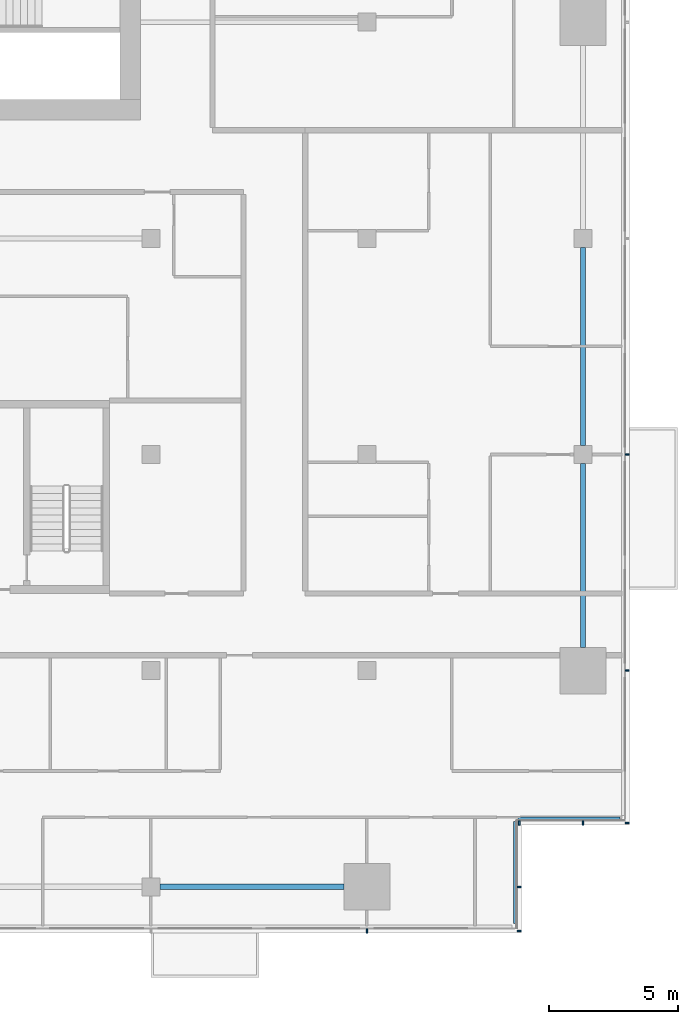
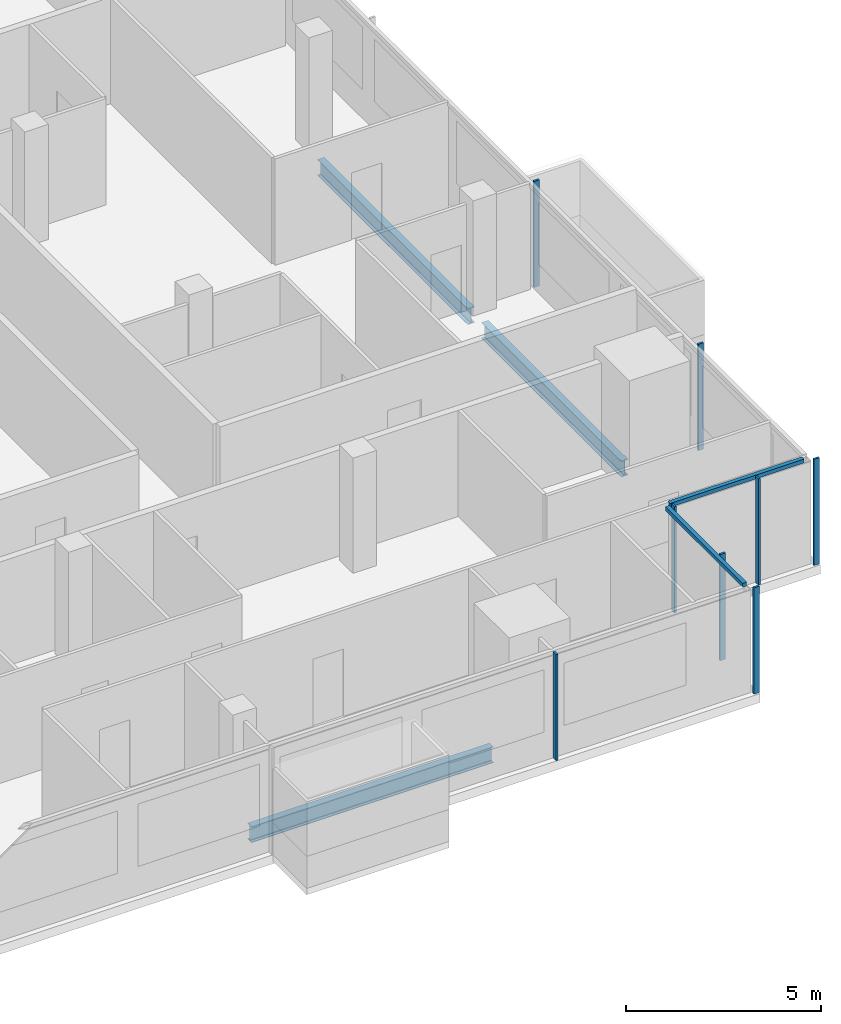
# One storey, part 11 of 30: 10 members, 3 beams, 4 elements without a shape of their own.
"""IFC4 building model written with IfcOpenShell, lengths in metres."""

from ifc_helpers import new_model, si_unit, direction, frame, origin, origin_2d, place, context, subcontext, project, spatial, rectangle, i_section, extrude, material, material_profile, profile_set, type_object, element, aggregate, save


model = new_model("IFC4")

# Units and contexts
model_context = context("Model", 3, precision=1e-05, world=origin(), true_north=direction((0.0, 1.0)))
body_context = subcontext(model_context, "Body", "Model", "MODEL_VIEW")
ifc_project = project(units=[si_unit("LENGTHUNIT", "METRE"), si_unit("AREAUNIT", "SQUARE_METRE"), si_unit("VOLUMEUNIT", "CUBIC_METRE"), si_unit("PLANEANGLEUNIT", "RADIAN"), si_unit("MASSUNIT", "GRAM", prefix="KILO")], contexts=[model_context])

# Site, building, storey
site_placement = place(None, origin())
site = spatial("IfcSite", under=ifc_project, at=site_placement, CompositionType="ELEMENT")
building_placement = place(site_placement, origin())
building = spatial("IfcBuilding", under=site, at=building_placement, Name="Saffron Gate Tower", CompositionType="ELEMENT")
storey_placement = place(building_placement, frame((0.0, 0.0, 169.050048828125)))
storey = spatial("IfcBuildingStorey", under=building, at=storey_placement, Name="L41", CompositionType="ELEMENT", Elevation=169.050048828125)

# Beams
ifc_material_1 = material(Name="Structural steel S355", Category="steel")
ifc_material_profile_1 = material_profile(ifc_material_1, i_section(OverallWidth=0.199951171875, OverallDepth=0.5, WebThickness=0.01025390625, FlangeThickness=0.01611328125, FilletRadius=0.02099609375, at=origin_2d()))
ifc_profile_set_1 = profile_set([ifc_material_profile_1], Name="Structural steel S355")
beam_type = type_object("IfcBeamType", Name="B11 IPE 500", PredefinedType="SPANDREL", material=ifc_profile_set_1)
beam_1_placement = place(storey_placement, frame((108.949951171875, 31.800048828125, -0.530029296875), z_axis=(1.0, 0.0, 0.0), x_axis=(0.0, 1.0, 0.0)))
element("IfcBeam", 1, at=beam_1_placement, inside=storey, type_object=beam_type, Name="B11 SPANDREL BEAM", PredefinedType="SPANDREL", context=body_context, shape_type="SweptSolid", body=[
    extrude(i_section(OverallWidth=0.199951171875, OverallDepth=0.5, WebThickness=0.01025390625, FlangeThickness=0.01611328125, FilletRadius=0.02099609375, at=origin_2d()), origin(), (0.0, 0.0, 1.0), 7.150146484375),
])
beam_2_placement = place(storey_placement, frame((125.39990234375, 41.10009765625, -0.530029296875), z_axis=(0.0, 1.0, 0.0), x_axis=(-1.0, 0.0, 0.0)))
element("IfcBeam", 2, at=beam_2_placement, inside=storey, type_object=beam_type, Name="B11 SPANDREL BEAM", PredefinedType="SPANDREL", context=body_context, shape_type="SweptSolid", body=[
    extrude(i_section(OverallWidth=0.199951171875, OverallDepth=0.5, WebThickness=0.01025390625, FlangeThickness=0.01611328125, FilletRadius=0.02099609375, at=origin_2d()), origin(), (0.0, 0.0, 1.0), 7.14990234375),
])
beam_3_placement = place(storey_placement, frame((125.39990234375, 48.949951171875, -0.530029296875), z_axis=(0.0, 1.0, 0.0), x_axis=(-1.0, 0.0, 0.0)))
element("IfcBeam", 3, at=beam_3_placement, inside=storey, type_object=beam_type, Name="B11 SPANDREL BEAM", PredefinedType="SPANDREL", context=body_context, shape_type="SweptSolid", body=[
    extrude(i_section(OverallWidth=0.199951171875, OverallDepth=0.5, WebThickness=0.01025390625, FlangeThickness=0.01611328125, FilletRadius=0.02099609375, at=origin_2d()), origin(), (0.0, 0.0, 1.0), 7.699951171875),
])

# Curtain wall, member
ifc_material_2 = material(Name="Aluminium, bronze anodised", Category="aluminium")
curtain_wall_type_1 = type_object("IfcCurtainWallType", Name="CWS1 curtain wall front facade", PredefinedType="NOTDEFINED", material=ifc_material_2)
curtain_wall_1_placement = place(storey_placement, origin())
curtain_wall_1 = element("IfcCurtainWall", 4, at=curtain_wall_1_placement, inside=storey, type_object=curtain_wall_type_1, Name="CWS1 run 1", PredefinedType="NOTDEFINED")
ifc_material_profile_2 = material_profile(ifc_material_2, rectangle(XDim=0.159912109375, YDim=0.06005859375, at=origin_2d()))
ifc_profile_set_2 = profile_set([ifc_material_profile_2], Name="Aluminium, bronze anodised")
member_type_1 = type_object("IfcMemberType", Name="CWS1 mullion 60x160", PredefinedType="MULLION", material=ifc_profile_set_2)
member_1_placement = place(storey_placement, frame((117.0, 30.080078125, 0.0), z_axis=(0.0, 0.0, 1.0), x_axis=(0.0, 1.0, 0.0)))
member_1 = element("IfcMember", 5, at=member_1_placement, type_object=member_type_1, Name="CWS1 mullion 9", PredefinedType="MULLION", context=body_context, shape_type="SweptSolid", body=[
    extrude(rectangle(XDim=0.159912109375, YDim=0.06005859375, at=origin_2d()), origin(), (0.0, 0.0, 1.0), 3.320068359375),
])
aggregate(curtain_wall_1, [member_1])

# Curtain wall, members
curtain_wall_type_2 = type_object("IfcCurtainWallType", Name="CWS2 curtain wall side facades", PredefinedType="NOTDEFINED", material=ifc_material_2)
curtain_wall_2_placement = place(storey_placement, origin())
curtain_wall_2 = element("IfcCurtainWall", 6, at=curtain_wall_2_placement, inside=storey, type_object=curtain_wall_type_2, Name="CWS2 run 4", PredefinedType="NOTDEFINED")
ifc_material_profile_3 = material_profile(ifc_material_2, rectangle(XDim=0.159912109375, YDim=0.06005859375, at=origin_2d()))
ifc_profile_set_3 = profile_set([ifc_material_profile_3], Name="Aluminium, bronze anodised")
member_type_2 = type_object("IfcMemberType", Name="CWS2 mullion 60x160", PredefinedType="MULLION", material=ifc_profile_set_3)
member_2_placement = place(storey_placement, frame((127.1201171875, 34.280029296875, 0.0), z_axis=(0.0, 0.0, 1.0), x_axis=(-1.0, 0.0, 0.0)))
member_2 = element("IfcMember", 7, at=member_2_placement, type_object=member_type_2, Name="CWS2 mullion 1", PredefinedType="MULLION", context=body_context, shape_type="SweptSolid", body=[
    extrude(rectangle(XDim=0.159912109375, YDim=0.06005859375, at=origin_2d()), origin(), (0.0, 0.0, 1.0), 3.320068359375),
])
member_3_placement = place(storey_placement, frame((127.1201171875, 40.199951171875, 0.0), z_axis=(0.0, 0.0, 1.0), x_axis=(-1.0, 0.0, 0.0)))
member_3 = element("IfcMember", 8, at=member_3_placement, type_object=member_type_2, Name="CWS2 mullion 2", PredefinedType="MULLION", context=body_context, shape_type="SweptSolid", body=[
    extrude(rectangle(XDim=0.159912109375, YDim=0.06005859375, at=origin_2d()), origin(), (0.0, 0.0, 1.0), 3.320068359375),
])
member_4_placement = place(storey_placement, frame((127.1201171875, 48.60009765625, 0.0), z_axis=(0.0, 0.0, 1.0), x_axis=(-1.0, 0.0, 0.0)))
member_4 = element("IfcMember", 9, at=member_4_placement, type_object=member_type_2, Name="CWS2 mullion 3", PredefinedType="MULLION", context=body_context, shape_type="SweptSolid", body=[
    extrude(rectangle(XDim=0.159912109375, YDim=0.06005859375, at=origin_2d()), origin(), (0.0, 0.0, 1.0), 3.320068359375),
])
aggregate(curtain_wall_2, [member_2, member_3, member_4])

# Curtain wall, member
curtain_wall_type_3 = type_object("IfcCurtainWallType", Name="CWS4 curtain wall corner returns", PredefinedType="NOTDEFINED", material=ifc_material_2)
curtain_wall_3_placement = place(storey_placement, origin())
curtain_wall_3 = element("IfcCurtainWall", 10, at=curtain_wall_3_placement, inside=storey, type_object=curtain_wall_type_3, Name="CWS4 run 2", PredefinedType="NOTDEFINED")
ifc_material_profile_4 = material_profile(ifc_material_2, rectangle(XDim=0.1201171875, YDim=0.1201171875, at=origin_2d()))
ifc_profile_set_4 = profile_set([ifc_material_profile_4], Name="Aluminium, bronze anodised")
member_type_3 = type_object("IfcMemberType", Name="CWS4 head transom", PredefinedType="USERDEFINED", material=ifc_profile_set_4)
member_5_placement = place(storey_placement, frame((122.751953125, 30.367919921875, 3.260009765625), z_axis=(0.0, 1.0, 0.0), x_axis=(-1.0, 0.0, 0.0)))
member_5 = element("IfcMember", 11, at=member_5_placement, type_object=member_type_3, Name="CWS4 head transom", ObjectType="TRANSOM", PredefinedType="USERDEFINED", context=body_context, shape_type="SweptSolid", body=[
    extrude(rectangle(XDim=0.1201171875, YDim=0.1201171875, at=origin_2d()), origin(), (0.0, 0.0, 1.0), 3.9599609375),
])

curtain_wall_4_placement = place(storey_placement, origin())
curtain_wall_4 = element("IfcCurtainWall", 12, at=curtain_wall_4_placement, inside=storey, type_object=curtain_wall_type_3, Name="CWS4 run 3", PredefinedType="NOTDEFINED")
member_6_placement = place(storey_placement, frame((122.8720703125, 34.447998046875, 3.260009765625), z_axis=(1.0, 0.0, 0.0), x_axis=(0.0, 1.0, 0.0)))
member_6 = element("IfcMember", 13, at=member_6_placement, type_object=member_type_3, Name="CWS4 head transom", ObjectType="TRANSOM", PredefinedType="USERDEFINED", context=body_context, shape_type="SweptSolid", body=[
    extrude(rectangle(XDim=0.1201171875, YDim=0.1201171875, at=origin_2d()), origin(), (0.0, 0.0, 1.0), 3.9599609375),
])

# Member
ifc_material_profile_5 = material_profile(ifc_material_2, rectangle(XDim=0.159912109375, YDim=0.06005859375, at=origin_2d()))
ifc_profile_set_5 = profile_set([ifc_material_profile_5], Name="Aluminium, bronze anodised")
member_type_4 = type_object("IfcMemberType", Name="CWS4 mullion 60x160", PredefinedType="MULLION", material=ifc_profile_set_5)
member_7_placement = place(storey_placement, frame((122.919921875, 30.080078125, 0.0), z_axis=(0.0, 0.0, 1.0), x_axis=(-1.0, 0.0, 0.0)))
member_7 = element("IfcMember", 14, at=member_7_placement, type_object=member_type_4, Name="CWS4 mullion 1", PredefinedType="MULLION", context=body_context, shape_type="SweptSolid", body=[
    extrude(rectangle(XDim=0.159912109375, YDim=0.06005859375, at=origin_2d()), origin(), (0.0, 0.0, 1.0), 3.320068359375),
])

member_8_placement = place(storey_placement, frame((122.919921875, 31.800048828125, 0.0), z_axis=(0.0, 0.0, 1.0), x_axis=(-1.0, 0.0, 0.0)))
member_8 = element("IfcMember", 15, at=member_8_placement, type_object=member_type_4, Name="CWS4 mullion 2", PredefinedType="MULLION", context=body_context, shape_type="SweptSolid", body=[
    extrude(rectangle(XDim=0.159912109375, YDim=0.06005859375, at=origin_2d()), origin(), (0.0, 0.0, 1.0), 3.320068359375),
])

aggregate(curtain_wall_3, [member_7, member_8, member_5])

member_9_placement = place(storey_placement, frame((122.919921875, 34.280029296875, 0.0), z_axis=(0.0, 0.0, 1.0), x_axis=(0.0, 1.0, 0.0)))
member_9 = element("IfcMember", 16, at=member_9_placement, type_object=member_type_4, Name="CWS4 mullion 1", PredefinedType="MULLION", context=body_context, shape_type="SweptSolid", body=[
    extrude(rectangle(XDim=0.159912109375, YDim=0.06005859375, at=origin_2d()), origin(), (0.0, 0.0, 1.0), 3.320068359375),
])

member_10_placement = place(storey_placement, frame((125.39990234375, 34.280029296875, 0.0), z_axis=(0.0, 0.0, 1.0), x_axis=(0.0, 1.0, 0.0)))
member_10 = element("IfcMember", 17, at=member_10_placement, type_object=member_type_4, Name="CWS4 mullion 2", PredefinedType="MULLION", context=body_context, shape_type="SweptSolid", body=[
    extrude(rectangle(XDim=0.159912109375, YDim=0.06005859375, at=origin_2d()), origin(), (0.0, 0.0, 1.0), 3.320068359375),
])

aggregate(curtain_wall_4, [member_9, member_10, member_6])

save(model, "model.ifc")
